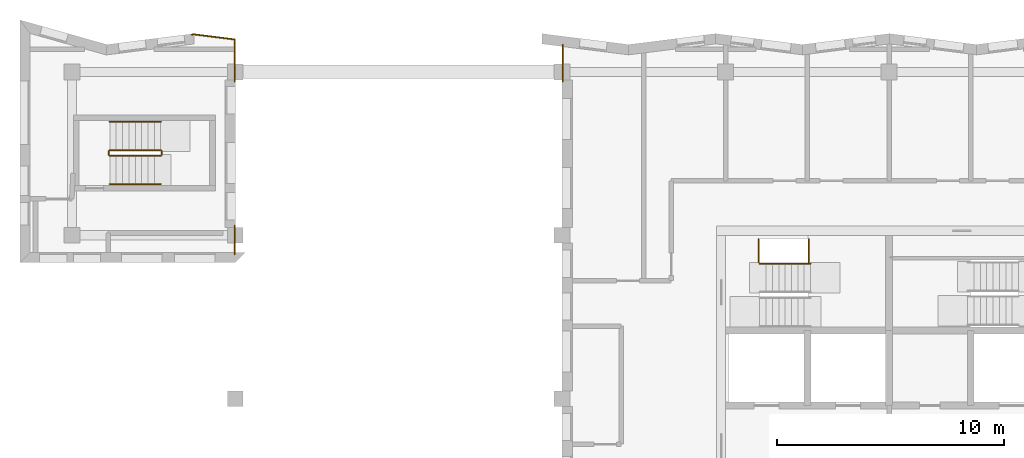
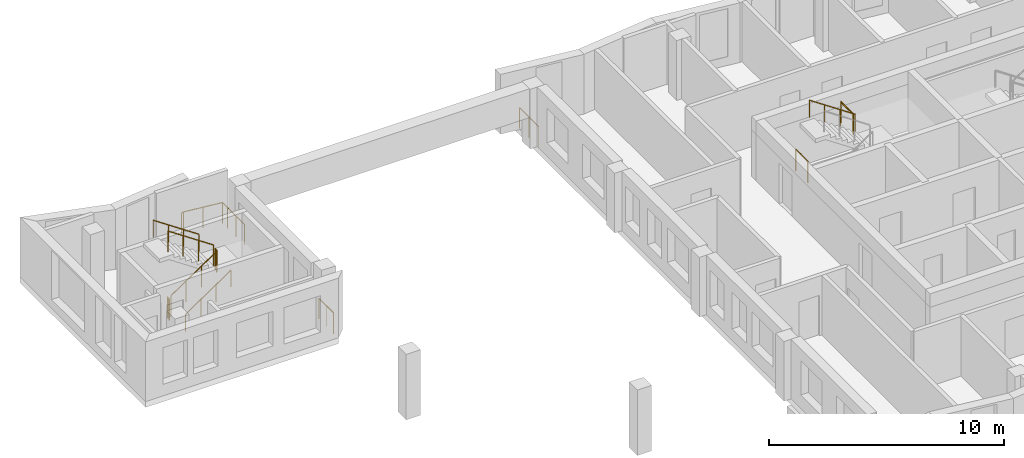
# One storey, part 11 of 13: 13 railings.
"""IFC4 building model written with IfcOpenShell, lengths in metres."""

from ifc_helpers import new_model, si_unit, direction, frame, origin, origin_2d, place, context, subcontext, project, spatial, circle, extrude, material, type_object, element, save


model = new_model("IFC4")

# Units and contexts
model_context = context("Model", 3, precision=1e-05, world=origin(), true_north=direction((0.0, 1.0)))
body_context = subcontext(model_context, "Body", "Model", "MODEL_VIEW")
ifc_project = project(units=[si_unit("LENGTHUNIT", "METRE"), si_unit("AREAUNIT", "SQUARE_METRE"), si_unit("VOLUMEUNIT", "CUBIC_METRE"), si_unit("PLANEANGLEUNIT", "RADIAN"), si_unit("MASSUNIT", "GRAM", prefix="KILO")], contexts=[model_context])

# Site, building, storey
site_placement = place(None, origin())
site = spatial("IfcSite", under=ifc_project, at=site_placement, CompositionType="ELEMENT")
building_placement = place(site_placement, origin())
building = spatial("IfcBuilding", under=site, at=building_placement, Name="Windrow Commons", CompositionType="ELEMENT")
storey_placement = place(building_placement, frame((0.0, 0.0, 264.2)))
storey = spatial("IfcBuildingStorey", under=building, at=storey_placement, Name="L72", CompositionType="ELEMENT", Elevation=264.2)

# Railings
ifc_material_1 = material(Name="Steel S355", Category="steel")
railing_type_1 = type_object("IfcRailingType", Name="Core stair guard 1100", PredefinedType="GUARDRAIL", material=ifc_material_1)
for number, where, name in (
    (1, (59.05, 63.6, 0.0), "L72 ST-A1 stair guard 3"),
    (2, (61.27, 63.6, 1.7), "L72 ST-A1 stair guard 4"),
):
    element("IfcRailing", number, at=place(storey_placement, frame(where)), inside=storey, type_object=railing_type_1, Name=name, PredefinedType="GUARDRAIL", context=body_context, shape_type="SweptSolid", body=[
        extrude(circle(Radius=0.024, at=origin_2d()), frame((0.0, 0.0, 1.076), z_axis=(0.0, 1.0, 0.0), x_axis=(-1.0, 0.0, 0.0)), (0.0, 0.0, 1.0), 1.03),
        extrude(circle(Radius=0.021, at=origin_2d()), origin(), (0.0, 0.0, 1.0), 1.052),
        extrude(circle(Radius=0.021, at=origin_2d()), frame((0.0, 1.03, 0.0)), (0.0, 0.0, 1.0), 1.052),
    ])
railing_1_placement = place(storey_placement, frame((30.475, 68.3, 0.1889)))
element("IfcRailing", 3, at=railing_1_placement, inside=storey, type_object=railing_type_1, Name="L72 ST-W stair guard 1", PredefinedType="GUARDRAIL", context=body_context, shape_type="SweptSolid", body=[
    extrude(circle(Radius=0.024, at=origin_2d()), frame((0.0, 0.0, 1.076), z_axis=(0.8290030985, 0.0, 0.5592440099), x_axis=(0.0, 1.0, 0.0)), (0.0, 0.0, 1.0), 2.702),
    extrude(circle(Radius=0.021, at=origin_2d()), origin(), (0.0, 0.0, 1.0), 1.052),
    extrude(circle(Radius=0.021, at=origin_2d()), frame((0.7467, 0.0, 0.5037)), (0.0, 0.0, 1.0), 1.052),
    extrude(circle(Radius=0.021, at=origin_2d()), frame((1.4933, 0.0, 1.0074)), (0.0, 0.0, 1.0), 1.052),
    extrude(circle(Radius=0.021, at=origin_2d()), frame((2.24, 0.0, 1.5111)), (0.0, 0.0, 1.0), 1.052),
])
railing_2_placement = place(storey_placement, frame((32.765, 68.35, 1.7)))
element("IfcRailing", 4, at=railing_2_placement, inside=storey, type_object=railing_type_1, Name="L72 ST-W stair guard 2", PredefinedType="GUARDRAIL", context=body_context, shape_type="SweptSolid", body=[
    extrude(circle(Radius=0.024, at=origin_2d()), frame((0.0, 0.0, 1.076), z_axis=(0.0, 1.0, 0.0), x_axis=(-1.0, 0.0, 0.0)), (0.0, 0.0, 1.0), 0.15),
    extrude(circle(Radius=0.021, at=origin_2d()), origin(), (0.0, 0.0, 1.0), 1.052),
    extrude(circle(Radius=0.021, at=origin_2d()), frame((0.0, 0.15, 0.0)), (0.0, 0.0, 1.0), 1.052),
])
railing_3_placement = place(storey_placement, frame((32.715, 68.55, 1.8889)))
element("IfcRailing", 5, at=railing_3_placement, inside=storey, type_object=railing_type_1, Name="L72 ST-W stair guard 3", PredefinedType="GUARDRAIL", context=body_context, shape_type="SweptSolid", body=[
    extrude(circle(Radius=0.024, at=origin_2d()), frame((0.0, 0.0, 1.076), z_axis=(-0.8290030985, 0.0, 0.5592440099), x_axis=(0.0, -1.0, 0.0)), (0.0, 0.0, 1.0), 2.702),
    extrude(circle(Radius=0.021, at=origin_2d()), origin(), (0.0, 0.0, 1.0), 1.052),
    extrude(circle(Radius=0.021, at=origin_2d()), frame((-0.7467, 0.0, 0.5037)), (0.0, 0.0, 1.0), 1.052),
    extrude(circle(Radius=0.021, at=origin_2d()), frame((-1.4933, 0.0, 1.0074)), (0.0, 0.0, 1.0), 1.052),
    extrude(circle(Radius=0.021, at=origin_2d()), frame((-2.24, 0.0, 1.5111)), (0.0, 0.0, 1.0), 1.052),
])
railing_4_placement = place(storey_placement, frame((30.425, 68.35, 0.0)))
element("IfcRailing", 6, at=railing_4_placement, inside=storey, type_object=railing_type_1, Name="L72 ST-W stair guard 4", PredefinedType="GUARDRAIL", context=body_context, shape_type="SweptSolid", body=[
    extrude(circle(Radius=0.024, at=origin_2d()), frame((0.0, 0.0, 1.076), z_axis=(0.0, 1.0, 0.0), x_axis=(-1.0, 0.0, 0.0)), (0.0, 0.0, 1.0), 0.15),
    extrude(circle(Radius=0.021, at=origin_2d()), origin(), (0.0, 0.0, 1.0), 1.052),
    extrude(circle(Radius=0.021, at=origin_2d()), frame((0.0, 0.15, 0.0)), (0.0, 0.0, 1.0), 1.052),
])
ifc_material_2 = material(Name="Steel S355", Category="steel")
railing_type_2 = type_object("IfcRailingType", Name="Core stair handrail 900", PredefinedType="HANDRAIL", material=ifc_material_2)
railing_5_placement = place(storey_placement, frame((61.34, 63.55, 1.8889)))
element("IfcRailing", 7, at=railing_5_placement, inside=storey, type_object=railing_type_2, Name="L72 ST-A1 stair handrail 2", PredefinedType="HANDRAIL", context=body_context, shape_type="SweptSolid", body=[
    extrude(circle(Radius=0.024, at=origin_2d()), frame((0.0, 0.0, 0.876), z_axis=(-0.8290030985, 0.0, 0.5592440099), x_axis=(0.0, -1.0, 0.0)), (0.0, 0.0, 1.0), 2.702),
    extrude(circle(Radius=0.021, at=origin_2d()), origin(), (0.0, 0.0, 1.0), 0.852),
    extrude(circle(Radius=0.021, at=origin_2d()), frame((-0.7467, 0.0, 0.5037)), (0.0, 0.0, 1.0), 0.852),
    extrude(circle(Radius=0.021, at=origin_2d()), frame((-1.4933, 0.0, 1.0074)), (0.0, 0.0, 1.0), 0.852),
    extrude(circle(Radius=0.021, at=origin_2d()), frame((-2.24, 0.0, 1.5111)), (0.0, 0.0, 1.0), 0.852),
])
railing_6_placement = place(storey_placement, frame((30.475, 67.05, 0.1889)))
element("IfcRailing", 8, at=railing_6_placement, inside=storey, type_object=railing_type_2, Name="L72 ST-W stair handrail 1", PredefinedType="HANDRAIL", context=body_context, shape_type="SweptSolid", body=[
    extrude(circle(Radius=0.024, at=origin_2d()), frame((0.0, 0.0, 0.876), z_axis=(0.8290030985, 0.0, 0.5592440099), x_axis=(0.0, 1.0, 0.0)), (0.0, 0.0, 1.0), 2.702),
    extrude(circle(Radius=0.021, at=origin_2d()), origin(), (0.0, 0.0, 1.0), 0.852),
    extrude(circle(Radius=0.021, at=origin_2d()), frame((0.7467, 0.0, 0.5037)), (0.0, 0.0, 1.0), 0.852),
    extrude(circle(Radius=0.021, at=origin_2d()), frame((1.4933, 0.0, 1.0074)), (0.0, 0.0, 1.0), 0.852),
    extrude(circle(Radius=0.021, at=origin_2d()), frame((2.24, 0.0, 1.5111)), (0.0, 0.0, 1.0), 0.852),
])
railing_7_placement = place(storey_placement, frame((32.715, 69.8, 1.8889)))
element("IfcRailing", 9, at=railing_7_placement, inside=storey, type_object=railing_type_2, Name="L72 ST-W stair handrail 2", PredefinedType="HANDRAIL", context=body_context, shape_type="SweptSolid", body=[
    extrude(circle(Radius=0.024, at=origin_2d()), frame((0.0, 0.0, 0.876), z_axis=(-0.8290030985, 0.0, 0.5592440099), x_axis=(0.0, -1.0, 0.0)), (0.0, 0.0, 1.0), 2.702),
    extrude(circle(Radius=0.021, at=origin_2d()), origin(), (0.0, 0.0, 1.0), 0.852),
    extrude(circle(Radius=0.021, at=origin_2d()), frame((-0.7467, 0.0, 0.5037)), (0.0, 0.0, 1.0), 0.852),
    extrude(circle(Radius=0.021, at=origin_2d()), frame((-1.4933, 0.0, 1.0074)), (0.0, 0.0, 1.0), 0.852),
    extrude(circle(Radius=0.021, at=origin_2d()), frame((-2.24, 0.0, 1.5111)), (0.0, 0.0, 1.0), 0.852),
])
ifc_material_3 = material(Name="Stainless steel S316 balustrade with toughened glass infill", Category="steel")
railing_type_3 = type_object("IfcRailingType", Name="Terrace guard 1100", PredefinedType="BALUSTRADE", material=ifc_material_3)
railing_8_placement = place(storey_placement, frame((50.43, 71.57, 0.0)))
element("IfcRailing", 10, at=railing_8_placement, inside=storey, type_object=railing_type_3, Name="Edge guard L72 2", PredefinedType="BALUSTRADE", context=body_context, shape_type="SweptSolid", body=[
    extrude(circle(Radius=0.025, at=origin_2d()), frame((0.0, 0.0, 1.075), z_axis=(0.0, 1.0, 0.0), x_axis=(-1.0, 0.0, 0.0)), (0.0, 0.0, 1.0), 1.6194),
    extrude(circle(Radius=0.02, at=origin_2d()), origin(), (0.0, 0.0, 1.0), 1.05),
    extrude(circle(Radius=0.02, at=origin_2d()), frame((0.0, 0.8097, 0.0)), (0.0, 0.0, 1.0), 1.05),
    extrude(circle(Radius=0.02, at=origin_2d()), frame((0.0, 1.6194, 0.0)), (0.0, 0.0, 1.0), 1.05),
])
railing_9_placement = place(storey_placement, frame((34.0832, 73.6397, 0.0)))
element("IfcRailing", 11, at=railing_9_placement, inside=storey, type_object=railing_type_3, Name="Edge guard L72 3", PredefinedType="BALUSTRADE", context=body_context, shape_type="SweptSolid", body=[
    extrude(circle(Radius=0.025, at=origin_2d()), frame((0.0, 0.0, 1.075), z_axis=(0.9921177329, 0.1253092335, 0.0), x_axis=(-0.1253092335, 0.9921177329, 0.0)), (0.0, 0.0, 1.0), 0.0966),
    extrude(circle(Radius=0.025, at=origin_2d()), frame((0.0958, 0.0121, 1.075), z_axis=(0.9921735508, -0.1248665094, 0.0), x_axis=(0.1248665094, 0.9921735508, 0.0)), (0.0, 0.0, 1.0), 1.8051),
    extrude(circle(Radius=0.025, at=origin_2d()), frame((1.8868, -0.2133, 1.075), z_axis=(0.0, -1.0, 0.0), x_axis=(1.0, 0.0, 0.0)), (0.0, 0.0, 1.0), 0.4064),
    extrude(circle(Radius=0.02, at=origin_2d()), origin(), (0.0, 0.0, 1.0), 1.05),
    extrude(circle(Radius=0.02, at=origin_2d()), frame((0.0958, 0.0121, 0.0)), (0.0, 0.0, 1.0), 1.05),
    extrude(circle(Radius=0.02, at=origin_2d()), frame((0.9913, -0.1006, 0.0)), (0.0, 0.0, 1.0), 1.05),
    extrude(circle(Radius=0.02, at=origin_2d()), frame((1.8868, -0.2133, 0.0)), (0.0, 0.0, 1.0), 1.05),
    extrude(circle(Radius=0.02, at=origin_2d()), frame((1.8868, -0.6197, 0.0)), (0.0, 0.0, 1.0), 1.05),
])
railing_10_placement = place(storey_placement, frame((35.97, 65.23, 0.0)))
element("IfcRailing", 12, at=railing_10_placement, inside=storey, type_object=railing_type_3, Name="Edge guard L72 4", PredefinedType="BALUSTRADE", context=body_context, shape_type="SweptSolid", body=[
    extrude(circle(Radius=0.025, at=origin_2d()), frame((0.0, 0.0, 1.075), z_axis=(0.0, -1.0, 0.0), x_axis=(1.0, 0.0, 0.0)), (0.0, 0.0, 1.0), 1.26),
    extrude(circle(Radius=0.02, at=origin_2d()), origin(), (0.0, 0.0, 1.0), 1.05),
    extrude(circle(Radius=0.02, at=origin_2d()), frame((0.0, -0.63, 0.0)), (0.0, 0.0, 1.0), 1.05),
    extrude(circle(Radius=0.02, at=origin_2d()), frame((0.0, -1.26, 0.0)), (0.0, 0.0, 1.0), 1.05),
])
railing_11_placement = place(storey_placement, frame((35.97, 72.98, 0.0)))
element("IfcRailing", 13, at=railing_11_placement, inside=storey, type_object=railing_type_3, Name="Edge guard L72 5", PredefinedType="BALUSTRADE", context=body_context, shape_type="SweptSolid", body=[
    extrude(circle(Radius=0.025, at=origin_2d()), frame((0.0, 0.0, 1.075), z_axis=(0.0, -1.0, 0.0), x_axis=(1.0, 0.0, 0.0)), (0.0, 0.0, 1.0), 1.41),
    extrude(circle(Radius=0.02, at=origin_2d()), origin(), (0.0, 0.0, 1.0), 1.05),
    extrude(circle(Radius=0.02, at=origin_2d()), frame((0.0, -0.705, 0.0)), (0.0, 0.0, 1.0), 1.05),
    extrude(circle(Radius=0.02, at=origin_2d()), frame((0.0, -1.41, 0.0)), (0.0, 0.0, 1.0), 1.05),
])

save(model, "model.ifc")
